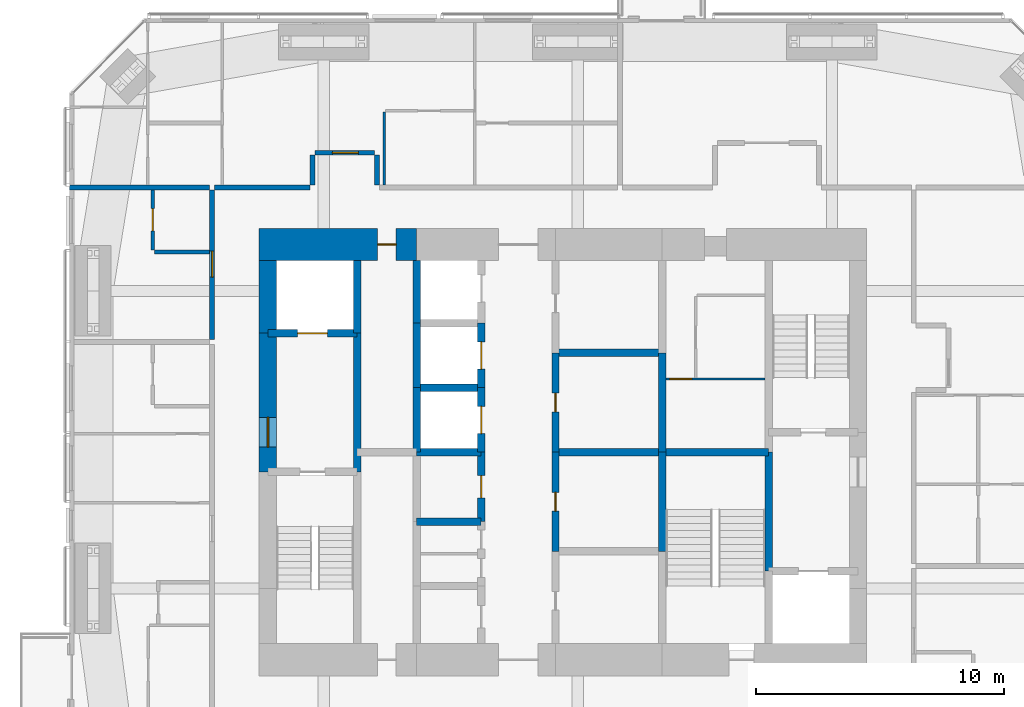
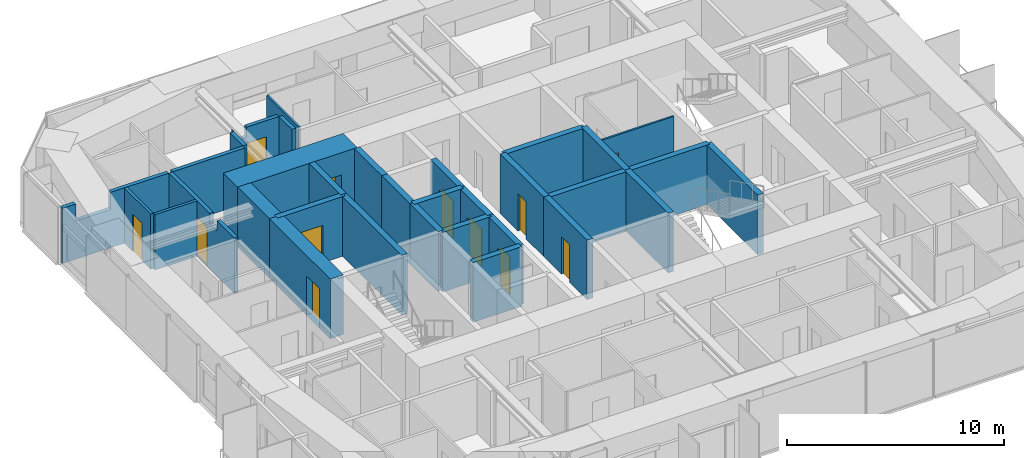
# One storey, part 18 of 22: 33 walls, 12 doors, 12 openings.
"""IFC4 building model written with IfcOpenShell, lengths in metres."""

import ifcopenshell
import ifcopenshell.guid

model = None  # the IFC model being written
_history = None  # IfcOwnerHistory: only IFC2X3 demands one
_inside = {}  # id of a spatial element -> (the spatial element, [elements in it])
_under = {}  # id of a project, library or spatial element -> (it, [spatial elements below it])
_declared = {}  # id of a project -> (the project, [libraries it declares])
_typed = {}  # id of a type object -> (the type object, [elements of that type])
_made_of = {}  # id of a material, layer set ... -> (it, [elements and type objects made of it])


def new_model(schema):
    """Start an empty IFC model of exactly this schema.

    Asked for "IFC4X3", IfcOpenShell would pick the latest addendum, in which some entities
    have other attributes; the version numbers below select the first issue.
    IFC2X3 requires an IfcOwnerHistory on every rooted entity: one is made here for all.
    """
    global model, _history
    if schema == "IFC4X3":
        model = ifcopenshell.file(schema_version=(4, 3, 0, 0))
    else:
        model = ifcopenshell.file(schema=schema)
    _inside.clear()
    _under.clear()
    _declared.clear()
    _typed.clear()
    _made_of.clear()
    _history = None
    if model.schema == "IFC2X3":
        org = make("IfcOrganization", Name="unknown")
        user = make(
            "IfcPersonAndOrganization",
            ThePerson=make("IfcPerson", FamilyName="unknown"),
            TheOrganization=org,
        )
        app = make(
            "IfcApplication",
            ApplicationDeveloper=org,
            Version="unknown",
            ApplicationFullName="unknown",
            ApplicationIdentifier="unknown",
        )
        _history = make(
            "IfcOwnerHistory",
            OwningUser=user,
            OwningApplication=app,
            ChangeAction="ADDED",
            CreationDate=0,
        )
    return model


def make(cls, **values):
    """One entity of the class cls with the attributes given. An attribute that is None is left unset."""
    return model.create_entity(
        cls, **{name: value for name, value in values.items() if value is not None}
    )


def rooted(cls, **values):
    """An entity with a GlobalId (a new one), such as an element, a storey or a relation."""
    return make(cls, GlobalId=ifcopenshell.guid.new(), OwnerHistory=_history, **values)


def si_unit(unit_type, name, prefix=None):
    """IfcSIUnit, for example si_unit("LENGTHUNIT", "METRE", prefix="MILLI")."""
    return make("IfcSIUnit", UnitType=unit_type, Prefix=prefix, Name=name)


def assignment(units):
    """IfcUnitAssignment: the units of a project."""
    return None if units is None else make("IfcUnitAssignment", Units=units)


def point(xyz):
    """IfcCartesianPoint."""
    return None if xyz is None else make("IfcCartesianPoint", Coordinates=xyz)


def direction(xyz):
    """IfcDirection."""
    return None if xyz is None else make("IfcDirection", DirectionRatios=xyz)


def frame(location, z_axis=None, x_axis=None):
    """IfcAxis2Placement3D, a coordinate frame: its origin and axes. An axis left out is left unset."""
    return make(
        "IfcAxis2Placement3D",
        Location=point(location),
        Axis=direction(z_axis),
        RefDirection=direction(x_axis),
    )


def frame_2d(location, x_axis=None):
    """IfcAxis2Placement2D, a coordinate frame in the plane: its origin and x axis."""
    return make(
        "IfcAxis2Placement2D", Location=point(location), RefDirection=direction(x_axis)
    )


def origin():
    """The frame at (0, 0, 0) with its axes left unset."""
    return frame((0.0, 0.0, 0.0))


def place(relative_to, where):
    """IfcLocalPlacement: puts the frame where relative to a parent placement (None: the world)."""
    return make(
        "IfcLocalPlacement", PlacementRelTo=relative_to, RelativePlacement=where
    )


def context(
    kind, dimensions, precision=None, world=None, true_north=None, identifier=None
):
    """IfcGeometricRepresentationContext, for example the 3D "Model" context."""
    return make(
        "IfcGeometricRepresentationContext",
        ContextIdentifier=identifier,
        ContextType=kind,
        CoordinateSpaceDimension=dimensions,
        Precision=precision,
        WorldCoordinateSystem=world,
        TrueNorth=true_north,
    )


def subcontext(parent, identifier, kind, view, scale=None):
    """IfcGeometricRepresentationSubContext, for example "Body" below "Model"."""
    return make(
        "IfcGeometricRepresentationSubContext",
        ContextIdentifier=identifier,
        ContextType=kind,
        ParentContext=parent,
        TargetScale=scale,
        TargetView=view,
    )


def project(units=None, contexts=None):
    """IfcProject with its units and contexts."""
    return rooted(
        "IfcProject",
        Name="project",
        RepresentationContexts=contexts,
        UnitsInContext=assignment(units),
    )


def spatial(cls, under=None, at=None, **own):
    """A site, building, storey or space (cls), placed at a placement, below another one or the project."""
    s = rooted(cls, ObjectPlacement=at, **own)
    if under is not None:
        _under.setdefault(under.id(), (under, []))[1].append(s)
    return s


def polyline(points):
    """IfcPolyline through the points."""
    return make("IfcPolyline", Points=[point(p) for p in points])


def profile(cls, at=None, kind="AREA", **sizes):
    """A parametric profile (cls). Its sizes go by their IFC names, for example OverallWidth=200.0."""
    return make(cls, ProfileType=kind, Position=at, **sizes)


def rectangle(**sizes):
    """IfcRectangleProfileDef."""
    return profile("IfcRectangleProfileDef", **sizes)


def outline(outer, holes=None, kind="AREA"):
    """IfcArbitraryClosedProfileDef: a profile drawn as a closed curve; with holes, ...WithVoids."""
    if holes is None:
        return make("IfcArbitraryClosedProfileDef", ProfileType=kind, OuterCurve=outer)
    return make(
        "IfcArbitraryProfileDefWithVoids",
        ProfileType=kind,
        OuterCurve=outer,
        InnerCurves=holes,
    )


def extrude(swept, where, along, depth):
    """IfcExtrudedAreaSolid: the profile swept, set in the frame where, extruded along a direction by depth."""
    return make(
        "IfcExtrudedAreaSolid",
        SweptArea=swept,
        Position=where,
        ExtrudedDirection=direction(along),
        Depth=depth,
    )


def shape(context_of_items, identifier, shape_type, items):
    """IfcShapeRepresentation: the items that make up one representation, for example the "Body"."""
    return make(
        "IfcShapeRepresentation",
        ContextOfItems=context_of_items,
        RepresentationIdentifier=identifier,
        RepresentationType=shape_type,
        Items=items,
    )


def material(Name=None, Category=None):
    """IfcMaterial."""
    return make("IfcMaterial", Name=Name, Category=Category)


def layer(
    of_material, thickness, ventilated=None, Name=None, Category=None, Priority=None
):
    """IfcMaterialLayer: one layer of a wall or slab, of a material (None: an air gap)."""
    return make(
        "IfcMaterialLayer",
        Material=of_material,
        LayerThickness=thickness,
        IsVentilated=ventilated,
        Name=Name,
        Category=Category,
        Priority=Priority,
    )


def layer_set(layers, Name=None):
    """IfcMaterialLayerSet."""
    return make("IfcMaterialLayerSet", MaterialLayers=layers, LayerSetName=Name)


def constituent(of_material, Name=None, Category=None, fraction=None):
    """IfcMaterialConstituent: one of the materials an element consists of."""
    return make(
        "IfcMaterialConstituent",
        Name=Name,
        Material=of_material,
        Fraction=fraction,
        Category=Category,
    )


def constituent_set(constituents=None, Name=None):
    """IfcMaterialConstituentSet."""
    return make(
        "IfcMaterialConstituentSet", Name=Name, MaterialConstituents=constituents
    )


def made_of(thing, what):
    """Note that an element or type object is made of a material, layer set ...; save() writes the relation."""
    if what is not None:
        _made_of.setdefault(what.id(), (what, []))[1].append(thing)
    return thing


def type_object(cls, material=None, **own):
    """A type object (cls), such as IfcWallType, which elements share."""
    return made_of(rooted(cls, **own), material)


def element(
    cls,
    number,
    at=None,
    inside=None,
    cuts=None,
    type_object=None,
    material=None,
    context=None,
    identifier="Body",
    shape_type=None,
    held_by="IfcProductDefinitionShape",
    body=None,
    shapes=None,
    **own,
):
    """One element of the class cls, such as IfcWall. Its Tag is "e" and its number.

    at: its placement. inside: the storey or other place that contains it. cuts: it is an
    opening in that element (IfcRelVoidsElement). A single representation is given by context,
    identifier, shape_type and body (its items); several are given by shapes. held_by: the class
    of the entity that holds the representations. save() writes the other relations.
    """
    e = rooted(cls, Tag="e%d" % number, ObjectPlacement=at, **own)
    if body is not None:
        shapes = [shape(context, identifier, shape_type, body)]
    if shapes is not None:
        e.Representation = make(held_by, Representations=shapes)
    if inside is not None:
        _inside.setdefault(inside.id(), (inside, []))[1].append(e)
    if cuts is not None:
        rooted(
            "IfcRelVoidsElement", RelatingBuildingElement=cuts, RelatedOpeningElement=e
        )
    if type_object is not None:
        _typed.setdefault(type_object.id(), (type_object, []))[1].append(e)
    return made_of(e, material)


def fill(opening, filler):
    """IfcRelFillsElement: the door or window that sits in an opening."""
    return rooted(
        "IfcRelFillsElement",
        RelatingOpeningElement=opening,
        RelatedBuildingElement=filler,
    )


def aggregate(whole, parts):
    """IfcRelAggregates: a whole, such as a stair, and the parts it consists of."""
    return rooted("IfcRelAggregates", RelatingObject=whole, RelatedObjects=parts)


def save(model, path):
    """Write the relations noted so far, then the file.

    IfcRelAggregates (storeys below a building ...), IfcRelContainedInSpatialStructure (elements
    in a storey), IfcRelDefinesByType, IfcRelAssociatesMaterial and IfcRelDeclares: one each for
    every whole, place, type object, material and project.
    """
    for whole, parts in _under.values():
        aggregate(whole, parts)
    for where, things in _inside.values():
        rooted(
            "IfcRelContainedInSpatialStructure",
            RelatedElements=things,
            RelatingStructure=where,
        )
    for kind, things in _typed.values():
        rooted("IfcRelDefinesByType", RelatedObjects=things, RelatingType=kind)
    for what, things in _made_of.values():
        rooted("IfcRelAssociatesMaterial", RelatedObjects=things, RelatingMaterial=what)
    for by, libraries in _declared.values():
        rooted("IfcRelDeclares", RelatingContext=by, RelatedDefinitions=libraries)
    model.write(path)


model = new_model("IFC4")

# Units and contexts
model_context = context("Model", 3, precision=1e-05, world=origin(), true_north=direction((0.0, 1.0)))
body_context = subcontext(model_context, "Body", "Model", "MODEL_VIEW")
ifc_project = project(units=[si_unit("LENGTHUNIT", "METRE"), si_unit("AREAUNIT", "SQUARE_METRE"), si_unit("VOLUMEUNIT", "CUBIC_METRE"), si_unit("PLANEANGLEUNIT", "RADIAN"), si_unit("MASSUNIT", "GRAM", prefix="KILO")], contexts=[model_context])

# Site, building, storey
site_placement = place(None, origin())
site = spatial("IfcSite", under=ifc_project, at=site_placement, CompositionType="ELEMENT")
building_placement = place(site_placement, origin())
building = spatial("IfcBuilding", under=site, at=building_placement, Name="Jalousie Tower", CompositionType="ELEMENT")
storey_placement = place(building_placement, frame((0.0, 0.0, 201.25)))
storey = spatial("IfcBuildingStorey", under=building, at=storey_placement, Name="L55", CompositionType="ELEMENT", Elevation=201.25)

# Wall, opening, door
ifc_material_1 = material(Name="Concrete block ASTM C90", Category="concrete")
ifc_constituent_1 = constituent(ifc_material_1, Name="Body")
ifc_material_2 = material(Name="Render")
ifc_constituent_2 = constituent(ifc_material_2, Name="Finish")
ifc_constituent_set_1 = constituent_set(constituents=[ifc_constituent_1, ifc_constituent_2])
wall_type_1 = type_object("IfcWallType", Name="BATHROOM WALL 150", PredefinedType="PLUMBINGWALL", material=ifc_constituent_set_1)
wall_1_placement = place(storey_placement, frame((15.35009765625, 26.64990234375, 0.0), z_axis=(0.0, 0.0, 1.0), x_axis=(0.0, 1.0, 0.0)))
wall_1 = element("IfcWall", 1, at=wall_1_placement, inside=storey, type_object=wall_type_1, Name="Bathroom Wall 150 L55", PredefinedType="PLUMBINGWALL", context=body_context, shape_type="SweptSolid", body=[
    extrude(rectangle(XDim=2.425048828125, YDim=0.14990234375, at=frame_2d((1.21240234375, 0.0))), origin(), (0.0, 0.0, 1.0), 3.110107421875),
])
opening_1_placement = place(wall_1_placement, frame((0.77490234375, 0.0, 0.0)))
opening_1 = element("IfcOpeningElement", 2, at=opening_1_placement, cuts=wall_1, Name="Opening D3", PredefinedType="OPENING", context=body_context, shape_type="SweptSolid", body=[
    extrude(rectangle(XDim=0.89990234375, YDim=2.10009765625, at=frame_2d((0.449951171875, 1.050048828125))), frame((0.0, 0.0849609375, 0.0), z_axis=(0.0, -1.0, 0.0), x_axis=(1.0, 0.0, 0.0)), (0.0, 0.0, 1.0), 0.169921875),
])
ifc_material_3 = material(Name="Timber door", Category="wood")
door_type_1 = type_object("IfcDoorType", Name="BATHROOM DOOR 900", OperationType="SINGLE_SWING_LEFT", PredefinedType="DOOR", material=ifc_material_3)
door_1_placement = place(opening_1_placement, frame((0.89990234375, 0.0, 0.0), z_axis=(0.0, 0.0, 1.0), x_axis=(-1.0, 0.0, 0.0)))
door_1 = element("IfcDoor", 3, at=door_1_placement, inside=storey, type_object=door_type_1, Name="Apartment 5505 bathroom door", OperationType="SINGLE_SWING_LEFT", OverallHeight=2.10009765625, OverallWidth=0.89990234375, PredefinedType="DOOR", context=body_context, shape_type="SweptSolid", body=[
    extrude(rectangle(XDim=0.89990234375, YDim=2.10009765625, at=frame_2d((0.449951171875, 1.050048828125))), frame((0.0, 0.02490234375, 0.0), z_axis=(0.0, -1.0, 0.0), x_axis=(1.0, 0.0, 0.0)), (0.0, 0.0, 1.0), 0.050048828125),
])
fill(opening_1, door_1)

# Wall
wall_2_placement = place(storey_placement, frame((15.425048828125, 26.574951171875, 0.0), z_axis=(0.0, 0.0, 1.0), x_axis=(1.0, 0.0, 0.0)))
element("IfcWall", 4, at=wall_2_placement, inside=storey, type_object=wall_type_1, Name="Bathroom Wall 150 L55", PredefinedType="PLUMBINGWALL", context=body_context, shape_type="SweptSolid", body=[
    extrude(rectangle(XDim=2.224853515625, YDim=0.14990234375, at=frame_2d((1.1123046875, 0.0))), origin(), (0.0, 0.0, 1.0), 3.110107421875),
])

# Wall, opening, door
ifc_material_4 = material(Name="Concrete f'c 120 MPa", Category="concrete")
ifc_layer_1 = layer(ifc_material_4, 1.300048828125)
ifc_layer_set_1 = layer_set([ifc_layer_1], Name="Concrete f'c 120 MPa")
wall_type_2 = type_object("IfcWallType", Name="CORE WALL 1300", PredefinedType="SHEAR", material=ifc_layer_set_1)
wall_3_placement = place(storey_placement, frame((26.0, 26.875, 0.0), z_axis=(0.0, 0.0, 1.0), x_axis=(-1.0, 0.0, 0.0)))
wall_3 = element("IfcWall", 5, at=wall_3_placement, inside=storey, type_object=wall_type_2, Name="Core wall ND L55", PredefinedType="SHEAR", context=body_context, shape_type="SweptSolid", body=[
    extrude(rectangle(XDim=6.35009765625, YDim=1.300048828125, at=frame_2d((3.175048828125, 0.0))), origin(), (0.0, 0.0, 1.0), 3.35009765625),
])
opening_2_placement = place(wall_3_placement, frame((0.824951171875, 0.0, 0.0)))
opening_2 = element("IfcOpeningElement", 6, at=opening_2_placement, cuts=wall_3, Name="Opening D16", PredefinedType="OPENING", context=body_context, shape_type="SweptSolid", body=[
    extrude(rectangle(XDim=0.75, YDim=2.10009765625, at=frame_2d((0.375, 1.050048828125))), frame((0.0, 0.659912109375, 0.0), z_axis=(0.0, -1.0, 0.0), x_axis=(1.0, 0.0, 0.0)), (0.0, 0.0, 1.0), 1.320068359375),
])
ifc_material_5 = material(Name="Steel fire door", Category="steel")
door_type_2 = type_object("IfcDoorType", Name="RISER DOOR 750", OperationType="SINGLE_SWING_LEFT", PredefinedType="DOOR", material=ifc_material_5)
door_2_placement = place(opening_2_placement, origin())
door_2 = element("IfcDoor", 7, at=door_2_placement, inside=storey, type_object=door_type_2, Name="North riser door", OperationType="SINGLE_SWING_RIGHT", OverallHeight=2.10009765625, OverallWidth=0.75, PredefinedType="DOOR", context=body_context, shape_type="SweptSolid", body=[
    extrude(rectangle(XDim=0.75, YDim=2.10009765625, at=frame_2d((0.375, 1.050048828125))), frame((0.0, 0.02490234375, 0.0), z_axis=(0.0, -1.0, 0.0), x_axis=(1.0, 0.0, 0.0)), (0.0, 0.0, 1.0), 0.050048828125),
])
fill(opening_2, door_2)

# Walls
ifc_material_6 = material(Name="Concrete f'c 120 MPa", Category="concrete")
ifc_layer_2 = layer(ifc_material_6, 0.300048828125)
ifc_layer_set_2 = layer_set([ifc_layer_2], Name="Concrete f'c 120 MPa")
wall_type_3 = type_object("IfcWallType", Name="CORE WALL 300", PredefinedType="SHEAR", material=ifc_layer_set_2)
wall_4_placement = place(storey_placement, frame((23.60009765625, 17.699951171875, 0.0), z_axis=(0.0, 0.0, 1.0), x_axis=(0.0, 1.0, 0.0)))
element("IfcWall", 8, at=wall_4_placement, inside=storey, type_object=wall_type_3, Name="Core wall X23.6B L55", PredefinedType="SHEAR", context=body_context, shape_type="SweptSolid", body=[
    extrude(rectangle(XDim=5.60009765625, YDim=0.300048828125, at=frame_2d((2.800048828125, 0.0))), origin(), (0.0, 0.0, 1.0), 3.35009765625),
])
wall_5_placement = place(storey_placement, frame((23.60009765625, 23.300048828125, 0.0), z_axis=(0.0, 0.0, 1.0), x_axis=(0.0, 1.0, 0.0)))
element("IfcWall", 9, at=wall_5_placement, inside=storey, type_object=wall_type_3, Name="Core wall X23.6C L55", PredefinedType="SHEAR", context=body_context, shape_type="SweptSolid", body=[
    extrude(rectangle(XDim=2.925048828125, YDim=0.300048828125, at=frame_2d((1.46240234375, 0.0))), origin(), (0.0, 0.0, 1.0), 3.35009765625),
])
wall_6_placement = place(storey_placement, frame((26.0, 18.5, 0.0), z_axis=(0.0, 0.0, 1.0), x_axis=(0.0, 1.0, 0.0)))
element("IfcWall", 10, at=wall_6_placement, inside=storey, type_object=wall_type_3, Name="Core wall X26D L55", PredefinedType="SHEAR", context=body_context, shape_type="SweptSolid", body=[
    extrude(rectangle(XDim=2.60009765625, YDim=0.300048828125, at=frame_2d((1.300048828125, 0.0))), origin(), (0.0, 0.0, 1.0), 3.35009765625),
])
wall_7_placement = place(storey_placement, frame((26.0, 21.10009765625, 0.0), z_axis=(0.0, 0.0, 1.0), x_axis=(0.0, 1.0, 0.0)))
element("IfcWall", 11, at=wall_7_placement, inside=storey, type_object=wall_type_3, Name="Core wall X26E L55", PredefinedType="SHEAR", context=body_context, shape_type="SweptSolid", body=[
    extrude(rectangle(XDim=2.599853515625, YDim=0.300048828125, at=frame_2d((1.2998046875, 0.0))), origin(), (0.0, 0.0, 1.0), 3.35009765625),
])
wall_8_placement = place(storey_placement, frame((26.0, 23.699951171875, 0.0), z_axis=(0.0, 0.0, 1.0), x_axis=(0.0, 1.0, 0.0)))
element("IfcWall", 12, at=wall_8_placement, inside=storey, type_object=wall_type_3, Name="Core wall X26F L55", PredefinedType="SHEAR", context=body_context, shape_type="SweptSolid", body=[
    extrude(rectangle(XDim=2.525146484375, YDim=0.300048828125, at=frame_2d((1.2626953125, 0.0))), origin(), (0.0, 0.0, 1.0), 3.35009765625),
])

# Wall, opening, door
wall_9_placement = place(storey_placement, frame((28.60009765625, 15.699951171875, 0.0), z_axis=(0.0, 0.0, 1.0), x_axis=(0.0, 1.0, 0.0)))
wall_9 = element("IfcWall", 13, at=wall_9_placement, inside=storey, type_object=wall_type_3, Name="Core wall X28.6C L55", PredefinedType="SHEAR", context=body_context, shape_type="SweptSolid", body=[
    extrude(rectangle(XDim=2.800048828125, YDim=0.300048828125, at=frame_2d((1.39990234375, 0.0))), origin(), (0.0, 0.0, 1.0), 3.35009765625),
])
opening_3_placement = place(wall_9_placement, frame((0.949951171875, 0.0, 0.0)))
opening_3 = element("IfcOpeningElement", 14, at=opening_3_placement, cuts=wall_9, Name="Opening D24", PredefinedType="OPENING", context=body_context, shape_type="SweptSolid", body=[
    extrude(rectangle(XDim=0.89990234375, YDim=2.10009765625, at=frame_2d((0.449951171875, 1.050048828125))), frame((0.0, 0.159912109375, 0.0), z_axis=(0.0, -1.0, 0.0), x_axis=(1.0, 0.0, 0.0)), (0.0, 0.0, 1.0), 0.320068359375),
])
ifc_material_7 = material(Name="Steel fire door", Category="steel")
door_type_3 = type_object("IfcDoorType", Name="CORE ROOM DOOR 900", OperationType="SINGLE_SWING_LEFT", PredefinedType="DOOR", material=ifc_material_7)
door_3_placement = place(opening_3_placement, origin())
door_3 = element("IfcDoor", 15, at=door_3_placement, inside=storey, type_object=door_type_3, Name="IT room door", OperationType="SINGLE_SWING_LEFT", OverallHeight=2.10009765625, OverallWidth=0.89990234375, PredefinedType="DOOR", context=body_context, shape_type="SweptSolid", body=[
    extrude(rectangle(XDim=0.89990234375, YDim=2.10009765625, at=frame_2d((0.449951171875, 1.050048828125))), frame((0.0, 0.02490234375, 0.0), z_axis=(0.0, -1.0, 0.0), x_axis=(1.0, 0.0, 0.0)), (0.0, 0.0, 1.0), 0.050048828125),
])
fill(opening_3, door_3)

wall_10_placement = place(storey_placement, frame((28.60009765625, 18.5, 0.0), z_axis=(0.0, 0.0, 1.0), x_axis=(0.0, 1.0, 0.0)))
wall_10 = element("IfcWall", 16, at=wall_10_placement, inside=storey, type_object=wall_type_3, Name="Core wall X28.6D L55", PredefinedType="SHEAR", context=body_context, shape_type="SweptSolid", body=[
    extrude(rectangle(XDim=2.60009765625, YDim=0.300048828125, at=frame_2d((1.300048828125, 0.0))), origin(), (0.0, 0.0, 1.0), 3.35009765625),
])
opening_4_placement = place(wall_10_placement, frame((0.75, 0.0, 0.0)))
opening_4 = element("IfcOpeningElement", 17, at=opening_4_placement, cuts=wall_10, Name="Opening LD1", PredefinedType="OPENING", context=body_context, shape_type="SweptSolid", body=[
    extrude(rectangle(XDim=1.10009765625, YDim=2.10009765625, at=frame_2d((0.550048828125, 1.050048828125))), frame((0.0, 0.159912109375, 0.0), z_axis=(0.0, -1.0, 0.0), x_axis=(1.0, 0.0, 0.0)), (0.0, 0.0, 1.0), 0.320068359375),
])
ifc_material_8 = material(Name="Steel lift landing door", Category="steel")
door_type_4 = type_object("IfcDoorType", Name="LIFT LANDING DOOR 1100", OperationType="SLIDING_TO_LEFT", PredefinedType="DOOR", material=ifc_material_8)
door_4_placement = place(opening_4_placement, origin())
door_4 = element("IfcDoor", 18, at=door_4_placement, inside=storey, type_object=door_type_4, Name="Lift P4 landing door", OperationType="SLIDING_TO_LEFT", OverallHeight=2.10009765625, OverallWidth=1.10009765625, PredefinedType="DOOR", context=body_context, shape_type="SweptSolid", body=[
    extrude(rectangle(XDim=1.10009765625, YDim=2.10009765625, at=frame_2d((0.550048828125, 1.050048828125))), frame((0.0, 0.02490234375, 0.0), z_axis=(0.0, -1.0, 0.0), x_axis=(1.0, 0.0, 0.0)), (0.0, 0.0, 1.0), 0.050048828125),
])
fill(opening_4, door_4)

wall_11_placement = place(storey_placement, frame((28.60009765625, 21.10009765625, 0.0), z_axis=(0.0, 0.0, 1.0), x_axis=(0.0, 1.0, 0.0)))
wall_11 = element("IfcWall", 19, at=wall_11_placement, inside=storey, type_object=wall_type_3, Name="Core wall X28.6E L55", PredefinedType="SHEAR", context=body_context, shape_type="SweptSolid", body=[
    extrude(rectangle(XDim=2.599853515625, YDim=0.300048828125, at=frame_2d((1.2998046875, 0.0))), origin(), (0.0, 0.0, 1.0), 3.35009765625),
])
opening_5_placement = place(wall_11_placement, frame((0.75, 0.0, 0.0)))
opening_5 = element("IfcOpeningElement", 20, at=opening_5_placement, cuts=wall_11, Name="Opening LD1", PredefinedType="OPENING", context=body_context, shape_type="SweptSolid", body=[
    extrude(rectangle(XDim=1.10009765625, YDim=2.10009765625, at=frame_2d((0.550048828125, 1.050048828125))), frame((0.0, 0.159912109375, 0.0), z_axis=(0.0, -1.0, 0.0), x_axis=(1.0, 0.0, 0.0)), (0.0, 0.0, 1.0), 0.320068359375),
])
door_5_placement = place(opening_5_placement, origin())
door_5 = element("IfcDoor", 21, at=door_5_placement, inside=storey, type_object=door_type_4, Name="Lift P5 landing door", OperationType="SLIDING_TO_LEFT", OverallHeight=2.10009765625, OverallWidth=1.10009765625, PredefinedType="DOOR", context=body_context, shape_type="SweptSolid", body=[
    extrude(rectangle(XDim=1.10009765625, YDim=2.10009765625, at=frame_2d((0.550048828125, 1.050048828125))), frame((0.0, 0.02490234375, 0.0), z_axis=(0.0, -1.0, 0.0), x_axis=(1.0, 0.0, 0.0)), (0.0, 0.0, 1.0), 0.050048828125),
])
fill(opening_5, door_5)

wall_12_placement = place(storey_placement, frame((31.60009765625, 14.5, 0.0), z_axis=(0.0, 0.0, 1.0), x_axis=(0.0, 1.0, 0.0)))
wall_12 = element("IfcWall", 22, at=wall_12_placement, inside=storey, type_object=wall_type_3, Name="Core wall X31.6B L55", PredefinedType="SHEAR", context=body_context, shape_type="SweptSolid", body=[
    extrude(rectangle(XDim=4.0, YDim=0.300048828125, at=frame_2d((2.0, 0.0))), origin(), (0.0, 0.0, 1.0), 3.35009765625),
])
opening_6_placement = place(wall_12_placement, frame((1.625, 0.0, 0.0)))
opening_6 = element("IfcOpeningElement", 23, at=opening_6_placement, cuts=wall_12, Name="Opening D16", PredefinedType="OPENING", context=body_context, shape_type="SweptSolid", body=[
    extrude(rectangle(XDim=0.75, YDim=2.10009765625, at=frame_2d((0.375, 1.050048828125))), frame((0.0, 0.159912109375, 0.0), z_axis=(0.0, -1.0, 0.0), x_axis=(1.0, 0.0, 0.0)), (0.0, 0.0, 1.0), 0.320068359375),
])
door_6_placement = place(opening_6_placement, frame((0.75, 0.0, 0.0), z_axis=(0.0, 0.0, 1.0), x_axis=(-1.0, 0.0, 0.0)))
door_6 = element("IfcDoor", 24, at=door_6_placement, inside=storey, type_object=door_type_2, Name="Electrical Room door", OperationType="SINGLE_SWING_RIGHT", OverallHeight=2.10009765625, OverallWidth=0.75, PredefinedType="DOOR", context=body_context, shape_type="SweptSolid", body=[
    extrude(rectangle(XDim=0.75, YDim=2.10009765625, at=frame_2d((0.375, 1.050048828125))), frame((0.0, 0.02490234375, 0.0), z_axis=(0.0, -1.0, 0.0), x_axis=(1.0, 0.0, 0.0)), (0.0, 0.0, 1.0), 0.050048828125),
])
fill(opening_6, door_6)

wall_13_placement = place(storey_placement, frame((31.60009765625, 18.5, 0.0), z_axis=(0.0, 0.0, 1.0), x_axis=(0.0, 1.0, 0.0)))
wall_13 = element("IfcWall", 25, at=wall_13_placement, inside=storey, type_object=wall_type_3, Name="Core wall X31.6C L55", PredefinedType="SHEAR", context=body_context, shape_type="SweptSolid", body=[
    extrude(rectangle(XDim=4.0, YDim=0.300048828125, at=frame_2d((2.0, 0.0))), origin(), (0.0, 0.0, 1.0), 3.35009765625),
])
opening_7_placement = place(wall_13_placement, frame((1.625, 0.0, 0.0)))
opening_7 = element("IfcOpeningElement", 26, at=opening_7_placement, cuts=wall_13, Name="Opening D16", PredefinedType="OPENING", context=body_context, shape_type="SweptSolid", body=[
    extrude(rectangle(XDim=0.75, YDim=2.10009765625, at=frame_2d((0.375, 1.050048828125))), frame((0.0, 0.159912109375, 0.0), z_axis=(0.0, -1.0, 0.0), x_axis=(1.0, 0.0, 0.0)), (0.0, 0.0, 1.0), 0.320068359375),
])
door_7_placement = place(opening_7_placement, frame((0.75, 0.0, 0.0), z_axis=(0.0, 0.0, 1.0), x_axis=(-1.0, 0.0, 0.0)))
door_7 = element("IfcDoor", 27, at=door_7_placement, inside=storey, type_object=door_type_2, Name="Telecom Room door", OperationType="SINGLE_SWING_RIGHT", OverallHeight=2.10009765625, OverallWidth=0.75, PredefinedType="DOOR", context=body_context, shape_type="SweptSolid", body=[
    extrude(rectangle(XDim=0.75, YDim=2.10009765625, at=frame_2d((0.375, 1.050048828125))), frame((0.0, 0.02490234375, 0.0), z_axis=(0.0, -1.0, 0.0), x_axis=(1.0, 0.0, 0.0)), (0.0, 0.0, 1.0), 0.050048828125),
])
fill(opening_7, door_7)

# Walls
for number, where, z_axis, x_axis, name in (
    (28, (35.89990234375, 14.5, 0.0), (0.0, 0.0, 1.0), (0.0, 1.0, 0.0), "Core wall X35.9B L55"),
    (29, (35.89990234375, 18.5, 0.0), (0.0, 0.0, 1.0), (0.0, 1.0, 0.0), "Core wall X35.9C L55"),
):
    element("IfcWall", number, at=place(storey_placement, frame(where, z_axis=z_axis, x_axis=x_axis)), inside=storey, type_object=wall_type_3, Name=name, PredefinedType="SHEAR", context=body_context, shape_type="SweptSolid", body=[
        extrude(rectangle(XDim=4.0, YDim=0.300048828125, at=frame_2d((2.0, 0.0))), origin(), (0.0, 0.0, 1.0), 3.35009765625),
    ])
wall_14_placement = place(storey_placement, frame((40.199951171875, 13.699951171875, 0.0), z_axis=(0.0, 0.0, 1.0), x_axis=(0.0, 1.0, 0.0)))
element("IfcWall", 30, at=wall_14_placement, inside=storey, type_object=wall_type_3, Name="Core wall X40.2B L55", PredefinedType="SHEAR", context=body_context, shape_type="SweptSolid", body=[
    extrude(rectangle(XDim=4.800048828125, YDim=0.300048828125, at=frame_2d((2.39990234375, 0.0))), origin(), (0.0, 0.0, 1.0), 3.35009765625),
])

# Wall, opening, door
wall_15_placement = place(storey_placement, frame((20.0, 23.300048828125, 0.0), z_axis=(0.0, 0.0, 1.0), x_axis=(1.0, 0.0, 0.0)))
wall_15 = element("IfcWall", 31, at=wall_15_placement, inside=storey, type_object=wall_type_3, Name="Core wall Y20-23.3 L55", PredefinedType="SHEAR", context=body_context, shape_type="SweptSolid", body=[
    extrude(rectangle(XDim=3.60009765625, YDim=0.300048828125, at=frame_2d((1.800048828125, 0.0))), origin(), (0.0, 0.0, 1.0), 3.35009765625),
])
opening_8_placement = place(wall_15_placement, frame((1.199951171875, 0.0, 0.0)))
opening_8 = element("IfcOpeningElement", 32, at=opening_8_placement, cuts=wall_15, Name="Opening LD2", PredefinedType="OPENING", context=body_context, shape_type="SweptSolid", body=[
    extrude(rectangle(XDim=1.199951171875, YDim=2.10009765625, at=frame_2d((0.60009765625, 1.050048828125))), frame((0.0, 0.159912109375, 0.0), z_axis=(0.0, -1.0, 0.0), x_axis=(1.0, 0.0, 0.0)), (0.0, 0.0, 1.0), 0.320068359375),
])
ifc_material_9 = material(Name="Steel lift landing door", Category="steel")
door_type_5 = type_object("IfcDoorType", Name="LIFT LANDING DOOR 1200", OperationType="SLIDING_TO_LEFT", PredefinedType="DOOR", material=ifc_material_9)
door_8_placement = place(opening_8_placement, origin())
door_8 = element("IfcDoor", 33, at=door_8_placement, inside=storey, type_object=door_type_5, Name="Lift F1 landing door", OperationType="SLIDING_TO_LEFT", OverallHeight=2.10009765625, OverallWidth=1.199951171875, PredefinedType="DOOR", context=body_context, shape_type="SweptSolid", body=[
    extrude(rectangle(XDim=1.199951171875, YDim=2.10009765625, at=frame_2d((0.60009765625, 1.050048828125))), frame((0.0, 0.02490234375, 0.0), z_axis=(0.0, -1.0, 0.0), x_axis=(1.0, 0.0, 0.0)), (0.0, 0.0, 1.0), 0.050048828125),
])
fill(opening_8, door_8)

# Walls
for number, where, z_axis, x_axis, name in (
    (34, (26.0, 15.699951171875, 0.0), (0.0, 0.0, 1.0), (1.0, 0.0, 0.0), "Core wall Y26-15.7 L55"),
    (35, (26.0, 18.5, 0.0), (0.0, 0.0, 1.0), (1.0, 0.0, 0.0), "Core wall Y26-18.5 L55"),
    (36, (26.0, 21.10009765625, 0.0), (0.0, 0.0, 1.0), (1.0, 0.0, 0.0), "Core wall Y26-21.1 L55"),
):
    element("IfcWall", number, at=place(storey_placement, frame(where, z_axis=z_axis, x_axis=x_axis)), inside=storey, type_object=wall_type_3, Name=name, PredefinedType="SHEAR", context=body_context, shape_type="SweptSolid", body=[
        extrude(rectangle(XDim=2.60009765625, YDim=0.300048828125, at=frame_2d((1.300048828125, 0.0))), origin(), (0.0, 0.0, 1.0), 3.35009765625),
    ])
for number, where, z_axis, x_axis, name in (
    (37, (31.60009765625, 18.5, 0.0), (0.0, 0.0, 1.0), (1.0, 0.0, 0.0), "Core wall Y31.6-18.5 L55"),
    (38, (31.60009765625, 22.5, 0.0), (0.0, 0.0, 1.0), (1.0, 0.0, 0.0), "Core wall Y31.6-22.5 L55"),
):
    element("IfcWall", number, at=place(storey_placement, frame(where, z_axis=z_axis, x_axis=x_axis)), inside=storey, type_object=wall_type_3, Name=name, PredefinedType="SHEAR", context=body_context, shape_type="SweptSolid", body=[
        extrude(rectangle(XDim=4.2998046875, YDim=0.300048828125, at=frame_2d((2.14990234375, 0.0))), origin(), (0.0, 0.0, 1.0), 3.35009765625),
    ])
wall_16_placement = place(storey_placement, frame((35.89990234375, 18.5, 0.0), z_axis=(0.0, 0.0, 1.0), x_axis=(1.0, 0.0, 0.0)))
element("IfcWall", 39, at=wall_16_placement, inside=storey, type_object=wall_type_3, Name="Core wall Y35.9-18.5 L55", PredefinedType="SHEAR", context=body_context, shape_type="SweptSolid", body=[
    extrude(rectangle(XDim=4.300048828125, YDim=0.300048828125, at=frame_2d((2.14990234375, 0.0))), origin(), (0.0, 0.0, 1.0), 3.35009765625),
])
ifc_material_10 = material(Name="Concrete f'c 120 MPa", Category="concrete")
ifc_layer_3 = layer(ifc_material_10, 0.699951171875)
ifc_layer_set_3 = layer_set([ifc_layer_3], Name="Concrete f'c 120 MPa")
wall_type_4 = type_object("IfcWallType", Name="CORE WALL 700", PredefinedType="SHEAR", material=ifc_layer_set_3)
wall_17_placement = place(storey_placement, frame((20.0, 26.22509765625, 0.0), z_axis=(0.0, 0.0, 1.0), x_axis=(0.0, -1.0, 0.0)))
element("IfcWall", 40, at=wall_17_placement, inside=storey, type_object=wall_type_4, Name="Core wall WA L55", PredefinedType="SHEAR", context=body_context, shape_type="SweptSolid", body=[
    extrude(rectangle(XDim=2.925048828125, YDim=0.699951171875, at=frame_2d((1.46240234375, 0.0))), origin(), (0.0, 0.0, 1.0), 3.35009765625),
])

# Wall, opening, door
wall_18_placement = place(storey_placement, frame((20.0, 23.300048828125, 0.0), z_axis=(0.0, 0.0, 1.0), x_axis=(0.0, -1.0, 0.0)))
wall_18 = element("IfcWall", 41, at=wall_18_placement, inside=storey, type_object=wall_type_4, Name="Core wall WB L55", PredefinedType="SHEAR", context=body_context, shape_type="SweptSolid", body=[
    extrude(rectangle(XDim=5.60009765625, YDim=0.699951171875, at=frame_2d((2.800048828125, 0.0))), origin(), (0.0, 0.0, 1.0), 3.35009765625),
])
opening_9_placement = place(wall_18_placement, frame((3.39990234375, 0.0, 0.0)))
opening_9 = element("IfcOpeningElement", 42, at=opening_9_placement, cuts=wall_18, Name="Opening D11", PredefinedType="OPENING", context=body_context, shape_type="SweptSolid", body=[
    extrude(rectangle(XDim=1.199951171875, YDim=2.199951171875, at=frame_2d((0.60009765625, 1.10009765625))), frame((0.0, 0.35986328125, 0.0), z_axis=(0.0, -1.0, 0.0), x_axis=(1.0, 0.0, 0.0)), (0.0, 0.0, 1.0), 0.719970703125),
])
ifc_material_11 = material(Name="Steel fire door", Category="steel")
door_type_6 = type_object("IfcDoorType", Name="FIRE DOOR 1200", OperationType="SINGLE_SWING_LEFT", PredefinedType="DOOR", material=ifc_material_11)
door_9_placement = place(opening_9_placement, origin())
door_9 = element("IfcDoor", 43, at=door_9_placement, inside=storey, type_object=door_type_6, Name="Fire-fighting lobby A door", OperationType="SINGLE_SWING_RIGHT", OverallHeight=2.199951171875, OverallWidth=1.199951171875, PredefinedType="DOOR", context=body_context, shape_type="SweptSolid", body=[
    extrude(rectangle(XDim=1.199951171875, YDim=2.199951171875, at=frame_2d((0.60009765625, 1.10009765625))), frame((0.0, 0.02490234375, 0.0), z_axis=(0.0, -1.0, 0.0), x_axis=(1.0, 0.0, 0.0)), (0.0, 0.0, 1.0), 0.050048828125),
])
fill(opening_9, door_9)

# Wall
ifc_material_12 = material(Name="Concrete block ASTM C90", Category="concrete")
ifc_constituent_3 = constituent(ifc_material_12, Name="Body")
ifc_material_13 = material(Name="Render")
ifc_constituent_4 = constituent(ifc_material_13, Name="Finish")
ifc_constituent_set_2 = constituent_set(constituents=[ifc_constituent_3, ifc_constituent_4])
wall_type_5 = type_object("IfcWallType", Name="CORRIDOR WALL 200", PredefinedType="PARTITIONING", material=ifc_constituent_set_2)
wall_19_placement = place(storey_placement, frame((17.85009765625, 29.175048828125, 0.0), z_axis=(0.0, 0.0, 1.0), x_axis=(1.0, 0.0, 0.0)))
element("IfcWall", 44, at=wall_19_placement, inside=storey, type_object=wall_type_5, Name="Corridor Wall 200 L55", PredefinedType="PARTITIONING", context=body_context, shape_type="SweptSolid", body=[
    extrude(rectangle(XDim=3.849853515625, YDim=0.199951171875, at=frame_2d((1.9248046875, 0.0))), origin(), (0.0, 0.0, 1.0), 3.110107421875),
])

# Wall, opening, door
wall_20_placement = place(storey_placement, frame((17.75, 23.050048828125, 0.0), z_axis=(0.0, 0.0, 1.0), x_axis=(0.0, 1.0, 0.0)))
wall_20 = element("IfcWall", 45, at=wall_20_placement, inside=storey, type_object=wall_type_5, Name="Corridor Wall 200 L55", PredefinedType="PARTITIONING", context=body_context, shape_type="SweptSolid", body=[
    extrude(outline(polyline([(0.0, 0.0), (6.02490234375, 0.0), (6.02490234375, 3.110107421875), (2.287353515625, 3.110107421875), (2.287353515625, 2.541015625), (1.612548828125, 2.541015625), (1.612548828125, 3.110107421875), (0.0, 3.110107421875), (0.0, 0.0)])), frame((0.0, 0.10009765625, 0.0), z_axis=(0.0, -1.0, 0.0), x_axis=(1.0, 0.0, 0.0)), (0.0, 0.0, 1.0), 0.199951171875),
])
opening_10_placement = place(wall_20_placement, frame((2.512451171875, 0.0, 0.0)))
opening_10 = element("IfcOpeningElement", 46, at=opening_10_placement, cuts=wall_20, Name="Opening D1", PredefinedType="OPENING", context=body_context, shape_type="SweptSolid", body=[
    extrude(rectangle(XDim=1.050048828125, YDim=2.199951171875, at=frame_2d((0.52490234375, 1.10009765625))), frame((0.0, 0.10986328125, 0.0), z_axis=(0.0, -1.0, 0.0), x_axis=(1.0, 0.0, 0.0)), (0.0, 0.0, 1.0), 0.219970703125),
])
ifc_material_14 = material(Name="Timber fire door", Category="wood")
door_type_7 = type_object("IfcDoorType", Name="APARTMENT ENTRANCE DOOR 1050", OperationType="SINGLE_SWING_LEFT", PredefinedType="DOOR", material=ifc_material_14)
door_10_placement = place(opening_10_placement, origin())
door_10 = element("IfcDoor", 47, at=door_10_placement, inside=storey, type_object=door_type_7, Name="Apartment 5505 entrance", OperationType="SINGLE_SWING_RIGHT", OverallHeight=2.199951171875, OverallWidth=1.050048828125, PredefinedType="DOOR", context=body_context, shape_type="SweptSolid", body=[
    extrude(rectangle(XDim=1.050048828125, YDim=2.199951171875, at=frame_2d((0.52490234375, 1.10009765625))), frame((0.0, 0.02490234375, 0.0), z_axis=(0.0, -1.0, 0.0), x_axis=(1.0, 0.0, 0.0)), (0.0, 0.0, 1.0), 0.050048828125),
])
fill(opening_10, door_10)

wall_21_placement = place(storey_placement, frame((21.89990234375, 30.574951171875, 0.0), z_axis=(0.0, 0.0, 1.0), x_axis=(1.0, 0.0, 0.0)))
wall_21 = element("IfcWall", 48, at=wall_21_placement, inside=storey, type_object=wall_type_5, Name="Corridor Wall 200 L55", PredefinedType="PARTITIONING", context=body_context, shape_type="SweptSolid", body=[
    extrude(outline(polyline([(0.0, 0.0), (2.400146484375, 0.0), (2.39990234375, 3.110107421875), (0.687255859375, 3.110107421875), (0.687255859375, 2.541015625), (0.0126953125, 2.541015625), (0.0126953125, 3.110107421875), (0.0, 3.110107421875), (0.0, 0.0)])), frame((0.0, 0.10009765625, 0.0), z_axis=(0.0, -1.0, 0.0), x_axis=(1.0, 0.0, 0.0)), (0.0, 0.0, 1.0), 0.199951171875),
])
opening_11_placement = place(wall_21_placement, frame((0.699951171875, 0.0, 0.0)))
opening_11 = element("IfcOpeningElement", 49, at=opening_11_placement, cuts=wall_21, Name="Opening D1", PredefinedType="OPENING", context=body_context, shape_type="SweptSolid", body=[
    extrude(rectangle(XDim=1.050048828125, YDim=2.199951171875, at=frame_2d((0.52490234375, 1.10009765625))), frame((0.0, 0.10986328125, 0.0), z_axis=(0.0, -1.0, 0.0), x_axis=(1.0, 0.0, 0.0)), (0.0, 0.0, 1.0), 0.219970703125),
])
door_11_placement = place(opening_11_placement, origin())
door_11 = element("IfcDoor", 50, at=door_11_placement, inside=storey, type_object=door_type_7, Name="Apartment 5503 entrance", OperationType="SINGLE_SWING_RIGHT", OverallHeight=2.199951171875, OverallWidth=1.050048828125, PredefinedType="DOOR", context=body_context, shape_type="SweptSolid", body=[
    extrude(rectangle(XDim=1.050048828125, YDim=2.199951171875, at=frame_2d((0.52490234375, 1.10009765625))), frame((0.0, 0.02490234375, 0.0), z_axis=(0.0, -1.0, 0.0), x_axis=(1.0, 0.0, 0.0)), (0.0, 0.0, 1.0), 0.050048828125),
])
fill(opening_11, door_11)

# Walls
for number, where, z_axis, x_axis, name in (
    (51, (21.800048828125, 29.27490234375, 0.0), (0.0, 0.0, 1.0), (0.0, 1.0, 0.0), "Corridor Wall 200 L55"),
    (52, (24.39990234375, 29.27490234375, 0.0), (0.0, 0.0, 1.0), (0.0, 1.0, 0.0), "Corridor Wall 200 L55"),
):
    element("IfcWall", number, at=place(storey_placement, frame(where, z_axis=z_axis, x_axis=x_axis)), inside=storey, type_object=wall_type_5, Name=name, PredefinedType="PARTITIONING", context=body_context, shape_type="SweptSolid", body=[
        extrude(rectangle(XDim=1.2001953125, YDim=0.199951171875, at=frame_2d((0.60009765625, 0.0))), origin(), (0.0, 0.0, 1.0), 3.110107421875),
    ])
ifc_material_15 = material(Name="Gypsum board", Category="gypsum")
ifc_constituent_5 = constituent(ifc_material_15, Name="Body")
ifc_material_16 = material(Name="Light-gauge steel studs ASTM A653 SS Grade 33", Category="steel")
ifc_constituent_6 = constituent(ifc_material_16, Name="Framing")
ifc_constituent_set_3 = constituent_set(constituents=[ifc_constituent_5, ifc_constituent_6])
wall_type_6 = type_object("IfcWallType", Name="PARTITION 100", PredefinedType="PARTITIONING", material=ifc_constituent_set_3)
wall_22_placement = place(storey_placement, frame((24.699951171875, 32.22509765625, 0.0), z_axis=(0.0, 0.0, 1.0), x_axis=(0.0, -1.0, 0.0)))
element("IfcWall", 53, at=wall_22_placement, inside=storey, type_object=wall_type_6, Name="Partition 100 L55", PredefinedType="PARTITIONING", context=body_context, shape_type="SweptSolid", body=[
    extrude(rectangle(XDim=2.9501953125, YDim=0.10009765625, at=frame_2d((1.47509765625, 0.0))), origin(), (0.0, 0.0, 1.0), 3.110107421875),
])

# Wall, opening, door
wall_23_placement = place(storey_placement, frame((36.050048828125, 21.449951171875, 0.0), z_axis=(0.0, 0.0, 1.0), x_axis=(1.0, 0.0, 0.0)))
wall_23 = element("IfcWall", 54, at=wall_23_placement, inside=storey, type_object=wall_type_6, Name="Partition 100 L55", PredefinedType="PARTITIONING", context=body_context, shape_type="SweptSolid", body=[
    extrude(rectangle(XDim=4.0, YDim=0.10009765625, at=frame_2d((2.0, 0.0))), origin(), (0.0, 0.0, 1.0), 3.110107421875),
])
opening_12_placement = place(wall_23_placement, frame((0.14990234375, 0.0, 0.0)))
opening_12 = element("IfcOpeningElement", 55, at=opening_12_placement, cuts=wall_23, Name="Opening D7", PredefinedType="OPENING", context=body_context, shape_type="SweptSolid", body=[
    extrude(rectangle(XDim=0.89990234375, YDim=2.10009765625, at=frame_2d((0.449951171875, 1.050048828125))), frame((0.0, 0.06005859375, 0.0), z_axis=(0.0, -1.0, 0.0), x_axis=(1.0, 0.0, 0.0)), (0.0, 0.0, 1.0), 0.1201171875),
])
ifc_material_17 = material(Name="Timber door", Category="wood")
door_type_8 = type_object("IfcDoorType", Name="INTERNAL DOOR 900", OperationType="SINGLE_SWING_LEFT", PredefinedType="DOOR", material=ifc_material_17)
door_12_placement = place(opening_12_placement, frame((0.89990234375, 0.0, 0.0), z_axis=(0.0, 0.0, 1.0), x_axis=(-1.0, 0.0, 0.0)))
door_12 = element("IfcDoor", 56, at=door_12_placement, inside=storey, type_object=door_type_8, Name="Linen store door", OperationType="SINGLE_SWING_RIGHT", OverallHeight=2.10009765625, OverallWidth=0.89990234375, PredefinedType="DOOR", context=body_context, shape_type="SweptSolid", body=[
    extrude(rectangle(XDim=0.89990234375, YDim=2.10009765625, at=frame_2d((0.449951171875, 1.050048828125))), frame((0.0, 0.02490234375, 0.0), z_axis=(0.0, -1.0, 0.0), x_axis=(1.0, 0.0, 0.0)), (0.0, 0.0, 1.0), 0.050048828125),
])
fill(opening_12, door_12)

# Wall
ifc_material_18 = material(Name="Concrete block ASTM C90", Category="concrete")
ifc_constituent_7 = constituent(ifc_material_18, Name="Body")
ifc_material_19 = material(Name="Render")
ifc_constituent_8 = constituent(ifc_material_19, Name="Finish")
ifc_constituent_set_4 = constituent_set(constituents=[ifc_constituent_7, ifc_constituent_8])
wall_type_7 = type_object("IfcWallType", Name="PARTY WALL 200", PredefinedType="PARTITIONING", material=ifc_constituent_set_4)
wall_24_placement = place(storey_placement, frame((12.0, 29.175048828125, 0.0), z_axis=(0.0, 0.0, 1.0), x_axis=(1.0, 0.0, 0.0)))
element("IfcWall", 57, at=wall_24_placement, inside=storey, type_object=wall_type_7, Name="Party Wall 200 L55", PredefinedType="PARTITIONING", context=body_context, shape_type="SweptSolid", body=[
    extrude(outline(polyline([(0.0, 0.0), (5.64990234375, 0.0), (5.64990234375, 3.110107421875), (2.546630859375, 3.110107421875), (2.546630859375, 2.14990234375), (0.703125, 2.14990234375), (0.703125, 3.110107421875), (0.0, 3.110107421875), (0.0, 0.0)])), frame((0.0, 0.10009765625, 0.0), z_axis=(0.0, -1.0, 0.0), x_axis=(1.0, 0.0, 0.0)), (0.0, 0.0, 1.0), 0.199951171875),
])

save(model, "model.ifc")
